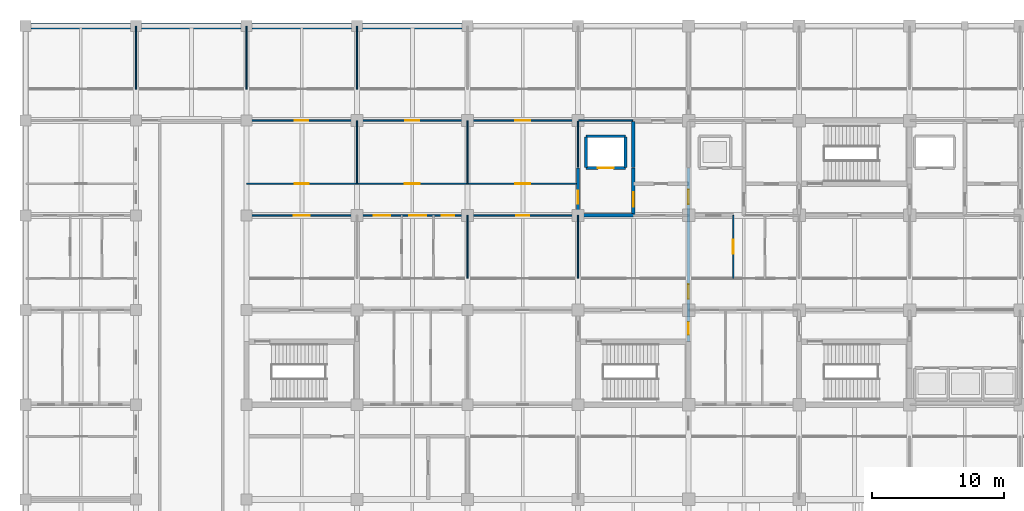
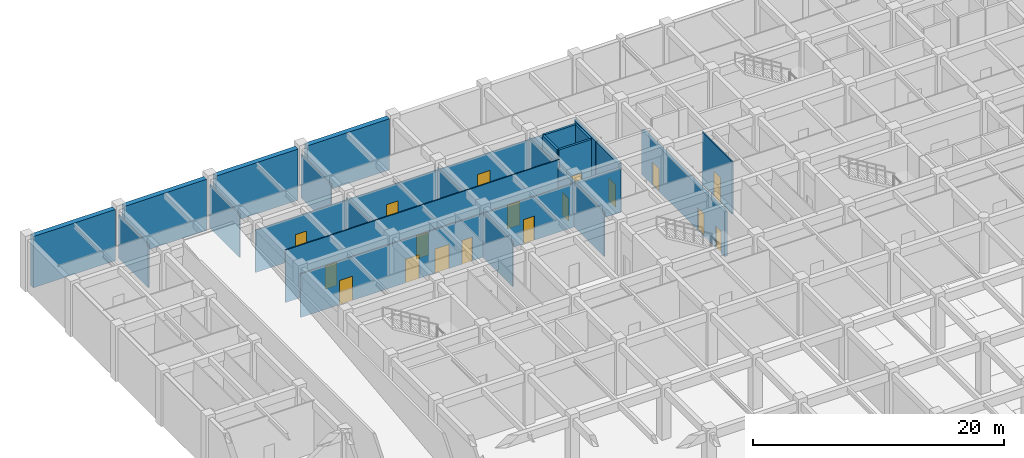
# One storey, part 22 of 48: 26 walls, 18 doors, 18 openings.
"""IFC4 building model written with IfcOpenShell, lengths in metres."""

from ifc_helpers import new_model, si_unit, direction, frame, frame_2d, origin, place, context, subcontext, project, spatial, rectangle, extrude, material, layer, layer_set, type_object, element, fill, save


model = new_model("IFC4")

# Units and contexts
model_context = context("Model", 3, precision=1e-05, world=origin(), true_north=direction((0.0, 1.0)))
body_context = subcontext(model_context, "Body", "Model", "MODEL_VIEW")
ifc_project = project(units=[si_unit("LENGTHUNIT", "METRE"), si_unit("AREAUNIT", "SQUARE_METRE"), si_unit("VOLUMEUNIT", "CUBIC_METRE"), si_unit("PLANEANGLEUNIT", "RADIAN"), si_unit("MASSUNIT", "GRAM", prefix="KILO")], contexts=[model_context])

# Site, building, storey
site_placement = place(None, origin())
site = spatial("IfcSite", under=ifc_project, at=site_placement, CompositionType="ELEMENT")
building_placement = place(site_placement, origin())
building = spatial("IfcBuilding", under=site, at=building_placement, Name="Chengyuan Square Courthouse", CompositionType="ELEMENT")
storey_placement = place(building_placement, frame((0.0, 0.0, -5.39990234375)))
storey = spatial("IfcBuildingStorey", under=building, at=storey_placement, Name="B01", CompositionType="ELEMENT", Elevation=-5.39990234375)

# Wall
ifc_material_1 = material(Name="Concrete C40", Category="concrete")
ifc_layer_1 = layer(ifc_material_1, 0.25)
ifc_layer_set_1 = layer_set([ifc_layer_1], Name="Concrete C40")
wall_type_1 = type_object("IfcWallType", Name="WL-FW1", PredefinedType="STANDARD", material=ifc_layer_set_1)
wall_1_placement = place(storey_placement, frame((42.0, 100.800048828125, 0.0), z_axis=(0.0, 0.0, 1.0), x_axis=(1.0, 0.0, 0.0)))
element("IfcWall", 1, at=wall_1_placement, inside=storey, type_object=wall_type_1, Name="Interior Wall WL-B01-I354", PredefinedType="STANDARD", context=body_context, shape_type="SweptSolid", body=[
    extrude(rectangle(XDim=4.199951171875, YDim=0.25, at=frame_2d((2.10009765625, 0.0))), origin(), (0.0, 0.0, 1.0), 4.25),
])

# Wall, opening, door
wall_2_placement = place(storey_placement, frame((42.0, 100.800048828125, 0.0), z_axis=(0.0, 0.0, 1.0), x_axis=(0.0, 1.0, 0.0)))
wall_2 = element("IfcWall", 2, at=wall_2_placement, inside=storey, type_object=wall_type_1, Name="Interior Wall WL-B01-I464", PredefinedType="STANDARD", context=body_context, shape_type="SweptSolid", body=[
    extrude(rectangle(XDim=3.599853515625, YDim=0.25, at=frame_2d((1.7998046875, 0.0))), origin(), (0.0, 0.0, 1.0), 4.349853515625),
])
opening_1_placement = place(wall_2_placement, frame((0.885009765625, 0.0, 0.0)))
opening_1 = element("IfcOpeningElement", 3, at=opening_1_placement, cuts=wall_2, Name="Opening DR-409", PredefinedType="OPENING", context=body_context, shape_type="SweptSolid", body=[
    extrude(rectangle(XDim=1.0, YDim=2.199951171875, at=frame_2d((0.5, 1.10009765625))), frame((0.0, 0.136962890625, 0.0), z_axis=(0.0, -1.0, 0.0), x_axis=(1.0, 0.0, 0.0)), (0.0, 0.0, 1.0), 0.27392578125),
])
ifc_material_2 = material(Name="Steel Q235B Fire Door", Category="steel")
door_type_1 = type_object("IfcDoorType", Name="DT-11", OperationType="NOTDEFINED", PredefinedType="DOOR", material=ifc_material_2)
door_1_placement = place(opening_1_placement, origin())
door_1 = element("IfcDoor", 4, at=door_1_placement, inside=storey, type_object=door_type_1, Name="Interior Door DR-409", OperationType="SINGLE_SWING_LEFT", OverallHeight=2.199951171875, OverallWidth=1.0, PredefinedType="DOOR", context=body_context, shape_type="SweptSolid", body=[
    extrude(rectangle(XDim=1.0, YDim=2.199951171875, at=frame_2d((0.5, 1.10009765625))), frame((0.0, 0.02490234375, 0.0), z_axis=(0.0, -1.0, 0.0), x_axis=(1.0, 0.0, 0.0)), (0.0, 0.0, 1.0), 0.050048828125),
])
fill(opening_1, door_1)

wall_3_placement = place(storey_placement, frame((46.199951171875, 100.800048828125, 0.0), z_axis=(0.0, 0.0, 1.0), x_axis=(0.0, 1.0, 0.0)))
wall_3 = element("IfcWall", 5, at=wall_3_placement, inside=storey, type_object=wall_type_1, Name="Interior Wall WL-B01-I469", PredefinedType="STANDARD", context=body_context, shape_type="SweptSolid", body=[
    extrude(rectangle(XDim=3.599853515625, YDim=0.25, at=frame_2d((1.7998046875, 0.0))), origin(), (0.0, 0.0, 1.0), 4.64990234375),
])
opening_2_placement = place(wall_3_placement, frame((0.64990234375, 0.0, 0.0)))
opening_2 = element("IfcOpeningElement", 6, at=opening_2_placement, cuts=wall_3, Name="Opening DR-408", PredefinedType="OPENING", context=body_context, shape_type="SweptSolid", body=[
    extrude(rectangle(XDim=1.10009765625, YDim=2.199951171875, at=frame_2d((0.550048828125, 1.10009765625))), frame((0.0, 0.136962890625, 0.0), z_axis=(0.0, -1.0, 0.0), x_axis=(1.0, 0.0, 0.0)), (0.0, 0.0, 1.0), 0.27392578125),
])
door_type_2 = type_object("IfcDoorType", Name="DT-10", OperationType="NOTDEFINED", PredefinedType="DOOR", material=ifc_material_2)
door_2_placement = place(opening_2_placement, origin())
door_2 = element("IfcDoor", 7, at=door_2_placement, inside=storey, type_object=door_type_2, Name="Interior Door DR-408", OperationType="SINGLE_SWING_RIGHT", OverallHeight=2.199951171875, OverallWidth=1.10009765625, PredefinedType="DOOR", context=body_context, shape_type="SweptSolid", body=[
    extrude(rectangle(XDim=1.10009765625, YDim=2.199951171875, at=frame_2d((0.550048828125, 1.10009765625))), frame((0.0, 0.02490234375, 0.0), z_axis=(0.0, -1.0, 0.0), x_axis=(1.0, 0.0, 0.0)), (0.0, 0.0, 1.0), 0.050048828125),
])
fill(opening_2, door_2)

# Wall
wall_4_placement = place(storey_placement, frame((46.199951171875, 104.449951171875, 0.0), z_axis=(0.0, 0.0, 1.0), x_axis=(0.0, 1.0, 0.0)))
element("IfcWall", 8, at=wall_4_placement, inside=storey, type_object=wall_type_1, Name="Interior Wall WL-B01-I470", PredefinedType="STANDARD", context=body_context, shape_type="SweptSolid", body=[
    extrude(rectangle(XDim=3.5, YDim=0.25, at=frame_2d((1.75, 0.0))), origin(), (0.0, 0.0, 1.0), 4.64990234375),
])

# Wall, openings, doors
wall_5_placement = place(storey_placement, frame((50.39990234375, 91.199951171875, 0.0), z_axis=(0.0, 0.0, 1.0), x_axis=(0.0, 1.0, 0.0)))
wall_5 = element("IfcWall", 9, at=wall_5_placement, inside=storey, type_object=wall_type_1, Name="Interior Wall WL-B01-I473", PredefinedType="STANDARD", context=body_context, shape_type="SweptSolid", body=[
    extrude(rectangle(XDim=13.199951171875, YDim=0.25, at=frame_2d((6.60009765625, 0.0))), origin(), (0.0, 0.0, 1.0), 4.349853515625),
])
opening_3_placement = place(wall_5_placement, frame((0.527587890625, 0.0, 0.0)))
opening_3 = element("IfcOpeningElement", 10, at=opening_3_placement, cuts=wall_5, Name="Opening DR-359", PredefinedType="OPENING", context=body_context, shape_type="SweptSolid", body=[
    extrude(rectangle(XDim=0.949951171875, YDim=2.14990234375, at=frame_2d((0.47509765625, 1.074951171875))), frame((0.0, 0.136962890625, 0.0), z_axis=(0.0, -1.0, 0.0), x_axis=(1.0, 0.0, 0.0)), (0.0, 0.0, 1.0), 0.27392578125),
])
opening_4_placement = place(wall_5_placement, frame((10.447509765625, 0.0, 0.0)))
opening_4 = element("IfcOpeningElement", 11, at=opening_4_placement, cuts=wall_5, Name="Opening DR-411", PredefinedType="OPENING", context=body_context, shape_type="SweptSolid", body=[
    extrude(rectangle(XDim=1.10009765625, YDim=2.199951171875, at=frame_2d((0.550048828125, 1.10009765625))), frame((0.0, 0.136962890625, 0.0), z_axis=(0.0, -1.0, 0.0), x_axis=(1.0, 0.0, 0.0)), (0.0, 0.0, 1.0), 0.27392578125),
])
opening_5_placement = place(wall_5_placement, frame((3.24755859375, 0.0, 0.0)))
opening_5 = element("IfcOpeningElement", 12, at=opening_5_placement, cuts=wall_5, Name="Opening DR-486", PredefinedType="OPENING", context=body_context, shape_type="SweptSolid", body=[
    extrude(rectangle(XDim=1.10009765625, YDim=2.199951171875, at=frame_2d((0.550048828125, 1.10009765625))), frame((0.0, 0.136962890625, 0.0), z_axis=(0.0, -1.0, 0.0), x_axis=(1.0, 0.0, 0.0)), (0.0, 0.0, 1.0), 0.27392578125),
])
door_3_placement = place(opening_4_placement, origin())
door_3 = element("IfcDoor", 13, at=door_3_placement, inside=storey, type_object=door_type_2, Name="Interior Door DR-411", OperationType="SINGLE_SWING_LEFT", OverallHeight=2.199951171875, OverallWidth=1.10009765625, PredefinedType="DOOR", context=body_context, shape_type="SweptSolid", body=[
    extrude(rectangle(XDim=1.10009765625, YDim=2.199951171875, at=frame_2d((0.550048828125, 1.10009765625))), frame((0.0, 0.02490234375, 0.0), z_axis=(0.0, -1.0, 0.0), x_axis=(1.0, 0.0, 0.0)), (0.0, 0.0, 1.0), 0.050048828125),
])
fill(opening_4, door_3)
door_4_placement = place(opening_5_placement, origin())
door_4 = element("IfcDoor", 14, at=door_4_placement, inside=storey, type_object=door_type_2, Name="Interior Door DR-486", OperationType="SINGLE_SWING_LEFT", OverallHeight=2.199951171875, OverallWidth=1.10009765625, PredefinedType="DOOR", context=body_context, shape_type="SweptSolid", body=[
    extrude(rectangle(XDim=1.10009765625, YDim=2.199951171875, at=frame_2d((0.550048828125, 1.10009765625))), frame((0.0, 0.02490234375, 0.0), z_axis=(0.0, -1.0, 0.0), x_axis=(1.0, 0.0, 0.0)), (0.0, 0.0, 1.0), 0.050048828125),
])
fill(opening_5, door_4)
door_type_3 = type_object("IfcDoorType", Name="DT-12", OperationType="NOTDEFINED", PredefinedType="DOOR", material=ifc_material_2)
door_5_placement = place(opening_3_placement, origin())
door_5 = element("IfcDoor", 15, at=door_5_placement, inside=storey, type_object=door_type_3, Name="Interior Door DR-359", OperationType="SINGLE_SWING_LEFT", OverallHeight=2.14990234375, OverallWidth=0.949951171875, PredefinedType="DOOR", context=body_context, shape_type="SweptSolid", body=[
    extrude(rectangle(XDim=0.949951171875, YDim=2.14990234375, at=frame_2d((0.47509765625, 1.074951171875))), frame((0.0, 0.02490234375, 0.0), z_axis=(0.0, -1.0, 0.0), x_axis=(1.0, 0.0, 0.0)), (0.0, 0.0, 1.0), 0.050048828125),
])
fill(opening_3, door_5)

ifc_material_3 = material(Name="Gypsum Plasterboard Acoustic Stud Partition")
ifc_layer_2 = layer(ifc_material_3, 0.10009765625)
ifc_layer_set_2 = layer_set([ifc_layer_2], Name="Gypsum Plasterboard Acoustic Stud Partition")
wall_type_2 = type_object("IfcWallType", Name="WL-PT6", PredefinedType="STANDARD", material=ifc_layer_set_2)
wall_6_placement = place(storey_placement, frame((16.800048828125, 100.800048828125, 0.0), z_axis=(0.0, 0.0, 1.0), x_axis=(1.0, 0.0, 0.0)))
wall_6 = element("IfcWall", 16, at=wall_6_placement, inside=storey, type_object=wall_type_2, Name="Interior Wall WL-B01-I353", PredefinedType="STANDARD", context=body_context, shape_type="SweptSolid", body=[
    extrude(rectangle(XDim=25.199951171875, YDim=0.10009765625, at=frame_2d((12.60009765625, 0.0))), origin(), (0.0, 0.0, 1.0), 4.25),
])
opening_6_placement = place(wall_6_placement, frame((3.58740234375, 0.0, 0.0)))
opening_6 = element("IfcOpeningElement", 17, at=opening_6_placement, cuts=wall_6, Name="Opening DR-451", PredefinedType="OPENING", context=body_context, shape_type="SweptSolid", body=[
    extrude(rectangle(XDim=1.199951171875, YDim=2.35009765625, at=frame_2d((0.60009765625, 1.175048828125))), frame((0.0, 0.06201171875, 0.0), z_axis=(0.0, -1.0, 0.0), x_axis=(1.0, 0.0, 0.0)), (0.0, 0.0, 1.0), 0.1240234375),
])
opening_7_placement = place(wall_6_placement, frame((9.6650390625, 0.0, 0.0)))
opening_7 = element("IfcOpeningElement", 18, at=opening_7_placement, cuts=wall_6, Name="Opening DR-452", PredefinedType="OPENING", context=body_context, shape_type="SweptSolid", body=[
    extrude(rectangle(XDim=1.239990234375, YDim=2.300048828125, at=frame_2d((0.6201171875, 1.14990234375))), frame((0.0, 0.06201171875, 0.0), z_axis=(0.0, -1.0, 0.0), x_axis=(1.0, 0.0, 0.0)), (0.0, 0.0, 1.0), 0.1240234375),
])
opening_8_placement = place(wall_6_placement, frame((12.360107421875, 0.0, 0.0)))
opening_8 = element("IfcOpeningElement", 19, at=opening_8_placement, cuts=wall_6, Name="Opening DR-453", PredefinedType="OPENING", context=body_context, shape_type="SweptSolid", body=[
    extrude(rectangle(XDim=1.280029296875, YDim=2.35009765625, at=frame_2d((0.64013671875, 1.175048828125))), frame((0.0, 0.06201171875, 0.0), z_axis=(0.0, -1.0, 0.0), x_axis=(1.0, 0.0, 0.0)), (0.0, 0.0, 1.0), 0.1240234375),
])
opening_9_placement = place(wall_6_placement, frame((14.844970703125, 0.0, 0.0)))
opening_9 = element("IfcOpeningElement", 20, at=opening_9_placement, cuts=wall_6, Name="Opening DR-454", PredefinedType="OPENING", context=body_context, shape_type="SweptSolid", body=[
    extrude(rectangle(XDim=0.93994140625, YDim=2.300048828125, at=frame_2d((0.469970703125, 1.14990234375))), frame((0.0, 0.06201171875, 0.0), z_axis=(0.0, -1.0, 0.0), x_axis=(1.0, 0.0, 0.0)), (0.0, 0.0, 1.0), 0.1240234375),
])
opening_10_placement = place(wall_6_placement, frame((20.510009765625, 0.0, 0.0)))
opening_10 = element("IfcOpeningElement", 21, at=opening_10_placement, cuts=wall_6, Name="Opening DR-455", PredefinedType="OPENING", context=body_context, shape_type="SweptSolid", body=[
    extrude(rectangle(XDim=0.97998046875, YDim=2.35009765625, at=frame_2d((0.489990234375, 1.175048828125))), frame((0.0, 0.06201171875, 0.0), z_axis=(0.0, -1.0, 0.0), x_axis=(1.0, 0.0, 0.0)), (0.0, 0.0, 1.0), 0.1240234375),
])
ifc_material_4 = material(Name="Acoustic Solid-Core Timber Door", Category="wood")
door_type_4 = type_object("IfcDoorType", Name="DT-36", OperationType="NOTDEFINED", PredefinedType="DOOR", material=ifc_material_4)
door_6_placement = place(opening_6_placement, origin())
door_6 = element("IfcDoor", 22, at=door_6_placement, inside=storey, type_object=door_type_4, Name="Interior Door DR-451", OperationType="SINGLE_SWING_RIGHT", OverallHeight=2.35009765625, OverallWidth=1.199951171875, PredefinedType="DOOR", context=body_context, shape_type="SweptSolid", body=[
    extrude(rectangle(XDim=1.199951171875, YDim=2.35009765625, at=frame_2d((0.60009765625, 1.175048828125))), frame((0.0, 0.02490234375, 0.0), z_axis=(0.0, -1.0, 0.0), x_axis=(1.0, 0.0, 0.0)), (0.0, 0.0, 1.0), 0.050048828125),
])
fill(opening_6, door_6)
door_type_5 = type_object("IfcDoorType", Name="DT-37", OperationType="NOTDEFINED", PredefinedType="DOOR", material=ifc_material_4)
door_7_placement = place(opening_7_placement, origin())
door_7 = element("IfcDoor", 23, at=door_7_placement, inside=storey, type_object=door_type_5, Name="Interior Door DR-452", OperationType="SINGLE_SWING_LEFT", OverallHeight=2.300048828125, OverallWidth=1.239990234375, PredefinedType="DOOR", context=body_context, shape_type="SweptSolid", body=[
    extrude(rectangle(XDim=1.239990234375, YDim=2.300048828125, at=frame_2d((0.6201171875, 1.14990234375))), frame((0.0, 0.02490234375, 0.0), z_axis=(0.0, -1.0, 0.0), x_axis=(1.0, 0.0, 0.0)), (0.0, 0.0, 1.0), 0.050048828125),
])
fill(opening_7, door_7)
door_type_6 = type_object("IfcDoorType", Name="DT-38", OperationType="NOTDEFINED", PredefinedType="DOOR", material=ifc_material_4)
door_8_placement = place(opening_8_placement, origin())
door_8 = element("IfcDoor", 24, at=door_8_placement, inside=storey, type_object=door_type_6, Name="Interior Door DR-453", OperationType="SINGLE_SWING_RIGHT", OverallHeight=2.35009765625, OverallWidth=1.280029296875, PredefinedType="DOOR", context=body_context, shape_type="SweptSolid", body=[
    extrude(rectangle(XDim=1.280029296875, YDim=2.35009765625, at=frame_2d((0.64013671875, 1.175048828125))), frame((0.0, 0.02490234375, 0.0), z_axis=(0.0, -1.0, 0.0), x_axis=(1.0, 0.0, 0.0)), (0.0, 0.0, 1.0), 0.050048828125),
])
fill(opening_8, door_8)
door_type_7 = type_object("IfcDoorType", Name="DT-39", OperationType="NOTDEFINED", PredefinedType="DOOR", material=ifc_material_4)
door_9_placement = place(opening_9_placement, origin())
door_9 = element("IfcDoor", 25, at=door_9_placement, inside=storey, type_object=door_type_7, Name="Interior Door DR-454", OperationType="SINGLE_SWING_LEFT", OverallHeight=2.300048828125, OverallWidth=0.93994140625, PredefinedType="DOOR", context=body_context, shape_type="SweptSolid", body=[
    extrude(rectangle(XDim=0.93994140625, YDim=2.300048828125, at=frame_2d((0.469970703125, 1.14990234375))), frame((0.0, 0.02490234375, 0.0), z_axis=(0.0, -1.0, 0.0), x_axis=(1.0, 0.0, 0.0)), (0.0, 0.0, 1.0), 0.050048828125),
])
fill(opening_9, door_9)
door_type_8 = type_object("IfcDoorType", Name="DT-40", OperationType="NOTDEFINED", PredefinedType="DOOR", material=ifc_material_4)
door_10_placement = place(opening_10_placement, origin())
door_10 = element("IfcDoor", 26, at=door_10_placement, inside=storey, type_object=door_type_8, Name="Interior Door DR-455", OperationType="SINGLE_SWING_RIGHT", OverallHeight=2.35009765625, OverallWidth=0.97998046875, PredefinedType="DOOR", context=body_context, shape_type="SweptSolid", body=[
    extrude(rectangle(XDim=0.97998046875, YDim=2.35009765625, at=frame_2d((0.489990234375, 1.175048828125))), frame((0.0, 0.02490234375, 0.0), z_axis=(0.0, -1.0, 0.0), x_axis=(1.0, 0.0, 0.0)), (0.0, 0.0, 1.0), 0.050048828125),
])
fill(opening_10, door_10)

wall_7_placement = place(storey_placement, frame((16.800048828125, 103.199951171875, 0.0), z_axis=(0.0, 0.0, 1.0), x_axis=(1.0, 0.0, 0.0)))
wall_7 = element("IfcWall", 27, at=wall_7_placement, inside=storey, type_object=wall_type_2, Name="Interior Wall WL-B01-I370", PredefinedType="STANDARD", context=body_context, shape_type="SweptSolid", body=[
    extrude(rectangle(XDim=25.199951171875, YDim=0.10009765625, at=frame_2d((12.60009765625, 0.0))), origin(), (0.0, 0.0, 1.0), 5.099853515625),
])
opening_11_placement = place(wall_7_placement, frame((3.659912109375, 0.0, 0.0)))
opening_11 = element("IfcOpeningElement", 28, at=opening_11_placement, cuts=wall_7, Name="Opening DR-448", PredefinedType="OPENING", context=body_context, shape_type="SweptSolid", body=[
    extrude(rectangle(XDim=1.080078125, YDim=2.25, at=frame_2d((0.5400390625, 1.125))), frame((0.0, 0.06201171875, 0.0), z_axis=(0.0, -1.0, 0.0), x_axis=(1.0, 0.0, 0.0)), (0.0, 0.0, 1.0), 0.1240234375),
])
opening_12_placement = place(wall_7_placement, frame((12.0400390625, 0.0, 0.0)))
opening_12 = element("IfcOpeningElement", 29, at=opening_12_placement, cuts=wall_7, Name="Opening DR-449", PredefinedType="OPENING", context=body_context, shape_type="SweptSolid", body=[
    extrude(rectangle(XDim=1.1201171875, YDim=2.25, at=frame_2d((0.56005859375, 1.125))), frame((0.0, 0.06201171875, 0.0), z_axis=(0.0, -1.0, 0.0), x_axis=(1.0, 0.0, 0.0)), (0.0, 0.0, 1.0), 0.1240234375),
])
opening_13_placement = place(wall_7_placement, frame((20.419921875, 0.0, 0.0)))
opening_13 = element("IfcOpeningElement", 30, at=opening_13_placement, cuts=wall_7, Name="Opening DR-450", PredefinedType="OPENING", context=body_context, shape_type="SweptSolid", body=[
    extrude(rectangle(XDim=1.159912109375, YDim=2.300048828125, at=frame_2d((0.580078125, 1.14990234375))), frame((0.0, 0.06201171875, 0.0), z_axis=(0.0, -1.0, 0.0), x_axis=(1.0, 0.0, 0.0)), (0.0, 0.0, 1.0), 0.1240234375),
])
door_type_9 = type_object("IfcDoorType", Name="DT-33", OperationType="NOTDEFINED", PredefinedType="DOOR", material=ifc_material_4)
door_11_placement = place(opening_11_placement, origin())
door_11 = element("IfcDoor", 31, at=door_11_placement, inside=storey, type_object=door_type_9, Name="Interior Door DR-448", OperationType="SINGLE_SWING_LEFT", OverallHeight=2.25, OverallWidth=1.080078125, PredefinedType="DOOR", context=body_context, shape_type="SweptSolid", body=[
    extrude(rectangle(XDim=1.080078125, YDim=2.25, at=frame_2d((0.5400390625, 1.125))), frame((0.0, 0.02490234375, 0.0), z_axis=(0.0, -1.0, 0.0), x_axis=(1.0, 0.0, 0.0)), (0.0, 0.0, 1.0), 0.050048828125),
])
fill(opening_11, door_11)
door_type_10 = type_object("IfcDoorType", Name="DT-34", OperationType="NOTDEFINED", PredefinedType="DOOR", material=ifc_material_4)
door_12_placement = place(opening_12_placement, origin())
door_12 = element("IfcDoor", 32, at=door_12_placement, inside=storey, type_object=door_type_10, Name="Interior Door DR-449", OperationType="SINGLE_SWING_RIGHT", OverallHeight=2.25, OverallWidth=1.1201171875, PredefinedType="DOOR", context=body_context, shape_type="SweptSolid", body=[
    extrude(rectangle(XDim=1.1201171875, YDim=2.25, at=frame_2d((0.56005859375, 1.125))), frame((0.0, 0.02490234375, 0.0), z_axis=(0.0, -1.0, 0.0), x_axis=(1.0, 0.0, 0.0)), (0.0, 0.0, 1.0), 0.050048828125),
])
fill(opening_12, door_12)
door_type_11 = type_object("IfcDoorType", Name="DT-35", OperationType="NOTDEFINED", PredefinedType="DOOR", material=ifc_material_4)
door_13_placement = place(opening_13_placement, origin())
door_13 = element("IfcDoor", 33, at=door_13_placement, inside=storey, type_object=door_type_11, Name="Interior Door DR-450", OperationType="SINGLE_SWING_LEFT", OverallHeight=2.300048828125, OverallWidth=1.159912109375, PredefinedType="DOOR", context=body_context, shape_type="SweptSolid", body=[
    extrude(rectangle(XDim=1.159912109375, YDim=2.300048828125, at=frame_2d((0.580078125, 1.14990234375))), frame((0.0, 0.02490234375, 0.0), z_axis=(0.0, -1.0, 0.0), x_axis=(1.0, 0.0, 0.0)), (0.0, 0.0, 1.0), 0.050048828125),
])
fill(opening_13, door_13)

wall_8_placement = place(storey_placement, frame((16.800048828125, 108.0, 0.0), z_axis=(0.0, 0.0, 1.0), x_axis=(1.0, 0.0, 0.0)))
wall_8 = element("IfcWall", 34, at=wall_8_placement, inside=storey, type_object=wall_type_2, Name="Interior Wall WL-B01-I406", PredefinedType="STANDARD", context=body_context, shape_type="SweptSolid", body=[
    extrude(rectangle(XDim=25.199951171875, YDim=0.10009765625, at=frame_2d((12.60009765625, 0.0))), origin(), (0.0, 0.0, 1.0), 4.1298828125),
])
opening_14_placement = place(wall_8_placement, frame((3.677490234375, 0.0, 0.0)))
opening_14 = element("IfcOpeningElement", 35, at=opening_14_placement, cuts=wall_8, Name="Opening DR-456", PredefinedType="OPENING", context=body_context, shape_type="SweptSolid", body=[
    extrude(rectangle(XDim=1.02001953125, YDim=2.39990234375, at=frame_2d((0.510009765625, 1.199951171875))), frame((0.0, 0.06201171875, 0.0), z_axis=(0.0, -1.0, 0.0), x_axis=(1.0, 0.0, 0.0)), (0.0, 0.0, 1.0), 0.1240234375),
])
opening_15_placement = place(wall_8_placement, frame((12.070068359375, 0.0, 0.0)))
opening_15 = element("IfcOpeningElement", 36, at=opening_15_placement, cuts=wall_8, Name="Opening DR-457", PredefinedType="OPENING", context=body_context, shape_type="SweptSolid", body=[
    extrude(rectangle(XDim=1.06005859375, YDim=2.39990234375, at=frame_2d((0.530029296875, 1.199951171875))), frame((0.0, 0.06201171875, 0.0), z_axis=(0.0, -1.0, 0.0), x_axis=(1.0, 0.0, 0.0)), (0.0, 0.0, 1.0), 0.1240234375),
])
opening_16_placement = place(wall_8_placement, frame((20.429931640625, 0.0, 0.0)))
opening_16 = element("IfcOpeningElement", 37, at=opening_16_placement, cuts=wall_8, Name="Opening DR-458", PredefinedType="OPENING", context=body_context, shape_type="SweptSolid", body=[
    extrude(rectangle(XDim=1.139892578125, YDim=2.39990234375, at=frame_2d((0.56982421875, 1.199951171875))), frame((0.0, 0.06201171875, 0.0), z_axis=(0.0, -1.0, 0.0), x_axis=(1.0, 0.0, 0.0)), (0.0, 0.0, 1.0), 0.1240234375),
])
door_type_12 = type_object("IfcDoorType", Name="DT-41", OperationType="NOTDEFINED", PredefinedType="DOOR", material=ifc_material_4)
door_14_placement = place(opening_14_placement, origin())
door_14 = element("IfcDoor", 38, at=door_14_placement, inside=storey, type_object=door_type_12, Name="Interior Door DR-456", OperationType="SINGLE_SWING_LEFT", OverallHeight=2.39990234375, OverallWidth=1.02001953125, PredefinedType="DOOR", context=body_context, shape_type="SweptSolid", body=[
    extrude(rectangle(XDim=1.02001953125, YDim=2.39990234375, at=frame_2d((0.510009765625, 1.199951171875))), frame((0.0, 0.02490234375, 0.0), z_axis=(0.0, -1.0, 0.0), x_axis=(1.0, 0.0, 0.0)), (0.0, 0.0, 1.0), 0.050048828125),
])
fill(opening_14, door_14)
door_type_13 = type_object("IfcDoorType", Name="DT-42", OperationType="NOTDEFINED", PredefinedType="DOOR", material=ifc_material_4)
door_15_placement = place(opening_15_placement, origin())
door_15 = element("IfcDoor", 39, at=door_15_placement, inside=storey, type_object=door_type_13, Name="Interior Door DR-457", OperationType="SINGLE_SWING_RIGHT", OverallHeight=2.39990234375, OverallWidth=1.06005859375, PredefinedType="DOOR", context=body_context, shape_type="SweptSolid", body=[
    extrude(rectangle(XDim=1.06005859375, YDim=2.39990234375, at=frame_2d((0.530029296875, 1.199951171875))), frame((0.0, 0.02490234375, 0.0), z_axis=(0.0, -1.0, 0.0), x_axis=(1.0, 0.0, 0.0)), (0.0, 0.0, 1.0), 0.050048828125),
])
fill(opening_15, door_15)
door_type_14 = type_object("IfcDoorType", Name="DT-43", OperationType="NOTDEFINED", PredefinedType="DOOR", material=ifc_material_4)
door_16_placement = place(opening_16_placement, origin())
door_16 = element("IfcDoor", 40, at=door_16_placement, inside=storey, type_object=door_type_14, Name="Interior Door DR-458", OperationType="SINGLE_SWING_LEFT", OverallHeight=2.39990234375, OverallWidth=1.139892578125, PredefinedType="DOOR", context=body_context, shape_type="SweptSolid", body=[
    extrude(rectangle(XDim=1.139892578125, YDim=2.39990234375, at=frame_2d((0.56982421875, 1.199951171875))), frame((0.0, 0.02490234375, 0.0), z_axis=(0.0, -1.0, 0.0), x_axis=(1.0, 0.0, 0.0)), (0.0, 0.0, 1.0), 0.050048828125),
])
fill(opening_16, door_16)

# Walls
wall_9_placement = place(storey_placement, frame((42.050048828125, 108.0, 0.0), z_axis=(0.0, 0.0, 1.0), x_axis=(1.0, 0.0, 0.0)))
element("IfcWall", 41, at=wall_9_placement, inside=storey, type_object=wall_type_2, Name="Interior Wall WL-B01-I407", PredefinedType="STANDARD", context=body_context, shape_type="SweptSolid", body=[
    extrude(rectangle(XDim=4.099853515625, YDim=0.10009765625, at=frame_2d((2.0498046875, 0.0))), origin(), (0.0, 0.0, 1.0), 4.1298828125),
])
for number, where, z_axis, x_axis, name in (
    (42, (8.39990234375, 110.39990234375, 0.0), (0.0, 0.0, 1.0), (0.0, 1.0, 0.0), "Interior Wall WL-B01-I435"),
    (43, (16.800048828125, 110.39990234375, 0.0), (0.0, 0.0, 1.0), (0.0, 1.0, 0.0), "Interior Wall WL-B01-I444"),
):
    element("IfcWall", number, at=place(storey_placement, frame(where, z_axis=z_axis, x_axis=x_axis)), inside=storey, type_object=wall_type_2, Name=name, PredefinedType="STANDARD", context=body_context, shape_type="SweptSolid", body=[
        extrude(rectangle(XDim=4.760009765625, YDim=0.10009765625, at=frame_2d((2.3798828125, 0.0))), origin(), (0.0, 0.0, 1.0), 4.22998046875),
    ])
wall_10_placement = place(storey_placement, frame((25.199951171875, 103.199951171875, 0.0), z_axis=(0.0, 0.0, 1.0), x_axis=(0.0, 1.0, 0.0)))
element("IfcWall", 44, at=wall_10_placement, inside=storey, type_object=wall_type_2, Name="Interior Wall WL-B01-I448", PredefinedType="STANDARD", context=body_context, shape_type="SweptSolid", body=[
    extrude(rectangle(XDim=4.800048828125, YDim=0.10009765625, at=frame_2d((2.39990234375, 0.0))), origin(), (0.0, 0.0, 1.0), 4.349853515625),
])
wall_11_placement = place(storey_placement, frame((25.199951171875, 110.39990234375, 0.0), z_axis=(0.0, 0.0, 1.0), x_axis=(0.0, 1.0, 0.0)))
element("IfcWall", 45, at=wall_11_placement, inside=storey, type_object=wall_type_2, Name="Interior Wall WL-B01-I449", PredefinedType="STANDARD", context=body_context, shape_type="SweptSolid", body=[
    extrude(rectangle(XDim=4.760009765625, YDim=0.10009765625, at=frame_2d((2.3798828125, 0.0))), origin(), (0.0, 0.0, 1.0), 4.22998046875),
])
for number, where, z_axis, x_axis, name in (
    (46, (33.60009765625, 96.0, 0.0), (0.0, 0.0, 1.0), (0.0, 1.0, 0.0), "Interior Wall WL-B01-I457"),
    (47, (33.60009765625, 103.199951171875, 0.0), (0.0, 0.0, 1.0), (0.0, 1.0, 0.0), "Interior Wall WL-B01-I458"),
    (48, (42.0, 96.0, 0.0), (0.0, 0.0, 1.0), (0.0, 1.0, 0.0), "Interior Wall WL-B01-I463"),
):
    element("IfcWall", number, at=place(storey_placement, frame(where, z_axis=z_axis, x_axis=x_axis)), inside=storey, type_object=wall_type_2, Name=name, PredefinedType="STANDARD", context=body_context, shape_type="SweptSolid", body=[
        extrude(rectangle(XDim=4.800048828125, YDim=0.10009765625, at=frame_2d((2.39990234375, 0.0))), origin(), (0.0, 0.0, 1.0), 4.349853515625),
    ])
wall_12_placement = place(storey_placement, frame((42.0, 104.449951171875, 0.0), z_axis=(0.0, 0.0, 1.0), x_axis=(0.0, 1.0, 0.0)))
element("IfcWall", 49, at=wall_12_placement, inside=storey, type_object=wall_type_2, Name="Interior Wall WL-B01-I465", PredefinedType="STANDARD", context=body_context, shape_type="SweptSolid", body=[
    extrude(rectangle(XDim=3.5, YDim=0.10009765625, at=frame_2d((1.75, 0.0))), origin(), (0.0, 0.0, 1.0), 4.349853515625),
])

# Wall, opening, door
wall_13_placement = place(storey_placement, frame((53.800048828125, 96.0, 0.0), z_axis=(0.0, 0.0, 1.0), x_axis=(0.0, 1.0, 0.0)))
wall_13 = element("IfcWall", 50, at=wall_13_placement, inside=storey, type_object=wall_type_2, Name="Interior Wall WL-B01-I479", PredefinedType="STANDARD", context=body_context, shape_type="SweptSolid", body=[
    extrude(rectangle(XDim=4.800048828125, YDim=0.10009765625, at=frame_2d((2.39990234375, 0.0))), origin(), (0.0, 0.0, 1.0), 5.099853515625),
])
opening_17_placement = place(wall_13_placement, frame((1.8701171875, 0.0, 0.0)))
opening_17 = element("IfcOpeningElement", 51, at=opening_17_placement, cuts=wall_13, Name="Opening DR-542", PredefinedType="OPENING", context=body_context, shape_type="SweptSolid", body=[
    extrude(rectangle(XDim=1.06005859375, YDim=2.39990234375, at=frame_2d((0.530029296875, 1.199951171875))), frame((0.0, 0.06201171875, 0.0), z_axis=(0.0, -1.0, 0.0), x_axis=(1.0, 0.0, 0.0)), (0.0, 0.0, 1.0), 0.1240234375),
])
door_17_placement = place(opening_17_placement, origin())
door_17 = element("IfcDoor", 52, at=door_17_placement, inside=storey, type_object=door_type_13, Name="Interior Door DR-542", OperationType="SINGLE_SWING_LEFT", OverallHeight=2.39990234375, OverallWidth=1.06005859375, PredefinedType="DOOR", context=body_context, shape_type="SweptSolid", body=[
    extrude(rectangle(XDim=1.06005859375, YDim=2.39990234375, at=frame_2d((0.530029296875, 1.199951171875))), frame((0.0, 0.02490234375, 0.0), z_axis=(0.0, -1.0, 0.0), x_axis=(1.0, 0.0, 0.0)), (0.0, 0.0, 1.0), 0.050048828125),
])
fill(opening_17, door_17)

# Walls
ifc_layer_3 = layer(ifc_material_1, 0.449951171875)
ifc_layer_set_3 = layer_set([ifc_layer_3], Name="Concrete C40")
wall_type_3 = type_object("IfcWallType", Name="WL-RW2", PredefinedType="USERDEFINED", material=ifc_layer_set_3)
wall_14_placement = place(storey_placement, frame((0.419921875, 115.199951171875, 0.0), z_axis=(0.0, 0.0, 1.0), x_axis=(1.0, 0.0, 0.0)))
element("IfcWall", 53, at=wall_14_placement, inside=storey, type_object=wall_type_3, Name="Basement Retaining Wall WL-B01-E089", ObjectType="RETAININGWALL", PredefinedType="USERDEFINED", context=body_context, shape_type="SweptSolid", body=[
    extrude(rectangle(XDim=7.56005859375, YDim=0.449951171875, at=frame_2d((3.780029296875, 0.0))), origin(), (0.0, 0.0, 1.0), 4.97998046875),
])
wall_15_placement = place(storey_placement, frame((8.820068359375, 115.199951171875, 0.0), z_axis=(0.0, 0.0, 1.0), x_axis=(1.0, 0.0, 0.0)))
element("IfcWall", 54, at=wall_15_placement, inside=storey, type_object=wall_type_3, Name="Basement Retaining Wall WL-B01-E092", ObjectType="RETAININGWALL", PredefinedType="USERDEFINED", context=body_context, shape_type="SweptSolid", body=[
    extrude(rectangle(XDim=7.559814453125, YDim=0.449951171875, at=frame_2d((3.77978515625, 0.0))), origin(), (0.0, 0.0, 1.0), 4.97998046875),
])
wall_16_placement = place(storey_placement, frame((17.219970703125, 115.199951171875, 0.0), z_axis=(0.0, 0.0, 1.0), x_axis=(1.0, 0.0, 0.0)))
element("IfcWall", 55, at=wall_16_placement, inside=storey, type_object=wall_type_3, Name="Basement Retaining Wall WL-B01-E094", ObjectType="RETAININGWALL", PredefinedType="USERDEFINED", context=body_context, shape_type="SweptSolid", body=[
    extrude(rectangle(XDim=7.56005859375, YDim=0.449951171875, at=frame_2d((3.780029296875, 0.0))), origin(), (0.0, 0.0, 1.0), 4.97998046875),
])
wall_17_placement = place(storey_placement, frame((25.6201171875, 115.199951171875, 0.0), z_axis=(0.0, 0.0, 1.0), x_axis=(1.0, 0.0, 0.0)))
element("IfcWall", 56, at=wall_17_placement, inside=storey, type_object=wall_type_3, Name="Basement Retaining Wall WL-B01-E096", ObjectType="RETAININGWALL", PredefinedType="USERDEFINED", context=body_context, shape_type="SweptSolid", body=[
    extrude(rectangle(XDim=7.559814453125, YDim=0.449951171875, at=frame_2d((3.77978515625, 0.0))), origin(), (0.0, 0.0, 1.0), 4.97998046875),
])

# Wall, opening, door
ifc_material_5 = material(Name="Reinforced Masonry Shaft Enclosure", Category="masonry")
ifc_layer_4 = layer(ifc_material_5, 0.199951171875)
ifc_layer_set_4 = layer_set([ifc_layer_4], Name="Reinforced Masonry Shaft Enclosure")
wall_type_4 = type_object("IfcWallType", Name="WL-SH1", PredefinedType="STANDARD", material=ifc_layer_set_4)
wall_18_placement = place(storey_placement, frame((42.60009765625, 104.39990234375, 0.0), z_axis=(0.0, 0.0, 1.0), x_axis=(1.0, 0.0, 0.0)))
wall_18 = element("IfcWall", 57, at=wall_18_placement, inside=storey, type_object=wall_type_4, Name="Interior Wall WL-B01-I381", PredefinedType="STANDARD", context=body_context, shape_type="SweptSolid", body=[
    extrude(rectangle(XDim=3.0, YDim=0.199951171875, at=frame_2d((1.5, 0.0))), origin(), (0.0, 0.0, 1.0), 5.099853515625),
])
opening_18_placement = place(wall_18_placement, frame((0.89990234375, 0.0, 0.0)))
opening_18 = element("IfcOpeningElement", 58, at=opening_18_placement, cuts=wall_18, Name="Opening LD-007", PredefinedType="OPENING", context=body_context, shape_type="SweptSolid", body=[
    extrude(rectangle(XDim=1.199951171875, YDim=2.14990234375, at=frame_2d((0.60009765625, 1.074951171875))), frame((0.0, 0.112060546875, 0.0), z_axis=(0.0, -1.0, 0.0), x_axis=(1.0, 0.0, 0.0)), (0.0, 0.0, 1.0), 0.223876953125),
])
ifc_material_6 = material(Name="Stainless Steel S30408 Lift Landing Door", Category="steel")
door_type_15 = type_object("IfcDoorType", Name="DT-05", OperationType="DOUBLE_DOOR_SLIDING", PredefinedType="DOOR", material=ifc_material_6)
door_18_placement = place(opening_18_placement, origin())
door_18 = element("IfcDoor", 59, at=door_18_placement, inside=storey, type_object=door_type_15, Name="Lift Landing Door LF-F3 B01", OperationType="DOUBLE_DOOR_SLIDING", OverallHeight=2.14990234375, OverallWidth=1.199951171875, PredefinedType="DOOR", context=body_context, shape_type="SweptSolid", body=[
    extrude(rectangle(XDim=1.199951171875, YDim=2.14990234375, at=frame_2d((0.60009765625, 1.074951171875))), frame((0.0, 0.02490234375, 0.0), z_axis=(0.0, -1.0, 0.0), x_axis=(1.0, 0.0, 0.0)), (0.0, 0.0, 1.0), 0.050048828125),
])
fill(opening_18, door_18)

# Walls
wall_19_placement = place(storey_placement, frame((42.60009765625, 106.800048828125, 0.0), z_axis=(0.0, 0.0, 1.0), x_axis=(1.0, 0.0, 0.0)))
element("IfcWall", 60, at=wall_19_placement, inside=storey, type_object=wall_type_4, Name="Interior Wall WL-B01-I394", PredefinedType="STANDARD", context=body_context, shape_type="SweptSolid", body=[
    extrude(rectangle(XDim=3.0, YDim=0.199951171875, at=frame_2d((1.5, 0.0))), origin(), (0.0, 0.0, 1.0), 5.099853515625),
])
for number, where, z_axis, x_axis, name in (
    (61, (42.60009765625, 104.449951171875, 0.0), (0.0, 0.0, 1.0), (0.0, 1.0, 0.0), "Interior Wall WL-B01-I467"),
    (62, (45.60009765625, 104.449951171875, 0.0), (0.0, 0.0, 1.0), (0.0, 1.0, 0.0), "Interior Wall WL-B01-I468"),
):
    element("IfcWall", number, at=place(storey_placement, frame(where, z_axis=z_axis, x_axis=x_axis)), inside=storey, type_object=wall_type_4, Name=name, PredefinedType="STANDARD", context=body_context, shape_type="SweptSolid", body=[
        extrude(rectangle(XDim=2.300048828125, YDim=0.199951171875, at=frame_2d((1.14990234375, 0.0))), origin(), (0.0, 0.0, 1.0), 5.099853515625),
    ])

save(model, "model.ifc")
